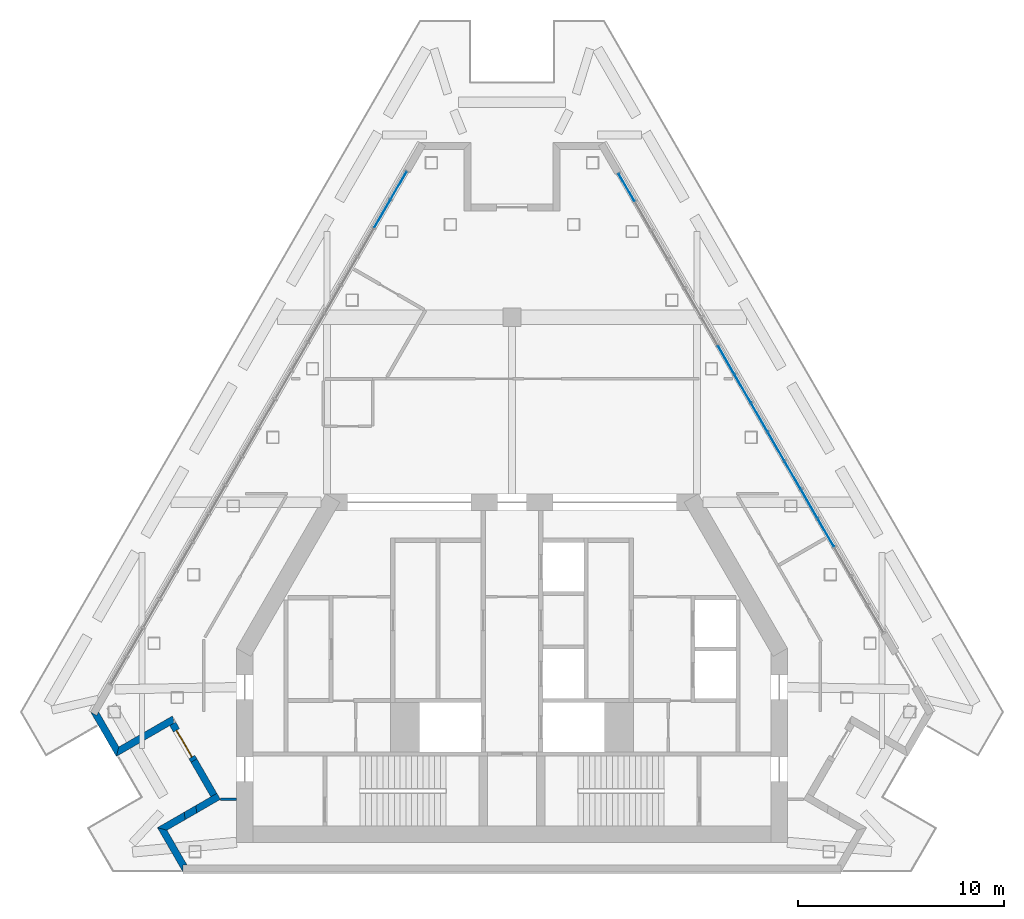
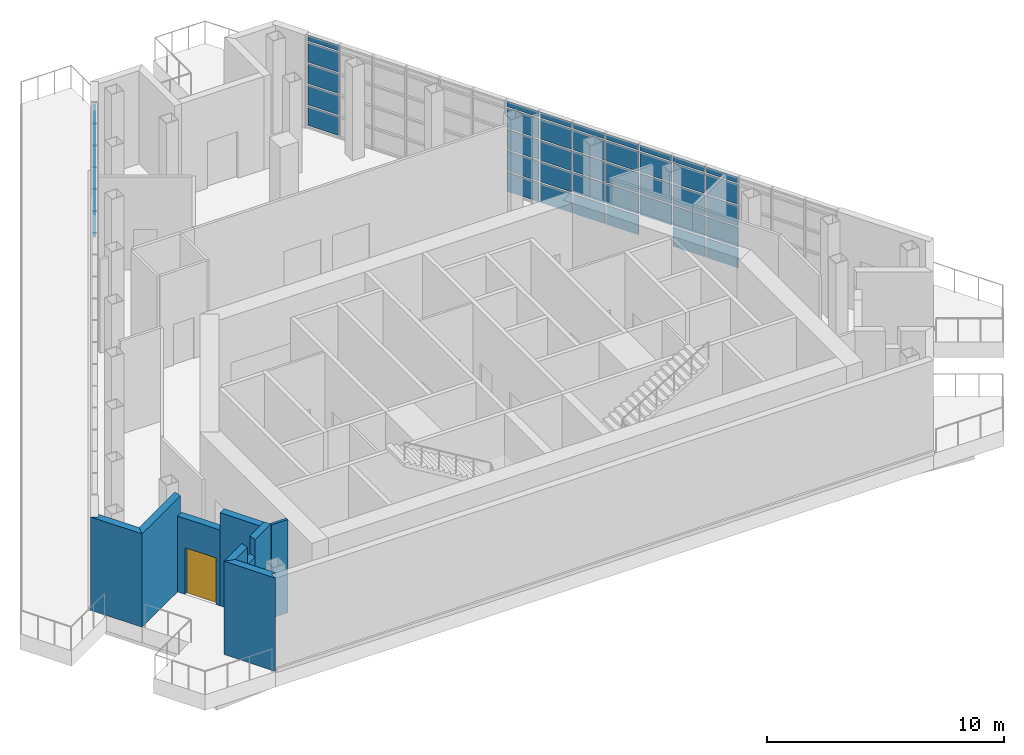
# One storey, part 9 of 15: 49 plates, 9 walls, 1 door, 1 opening, 2 elements without a shape of their own.
"""IFC4 building model written with IfcOpenShell, lengths in metres."""

from ifc_helpers import new_model, si_unit, direction, frame, frame_2d, origin, origin_2d, place, context, subcontext, project, spatial, polyline, rectangle, outline, extrude, material, layer, layer_set, type_object, element, fill, aggregate, save


model = new_model("IFC4")

# Units and contexts
model_context = context("Model", 3, precision=1e-05, world=origin(), true_north=direction((0.0, 1.0)))
body_context = subcontext(model_context, "Body", "Model", "MODEL_VIEW")
ifc_project = project(units=[si_unit("LENGTHUNIT", "METRE"), si_unit("AREAUNIT", "SQUARE_METRE"), si_unit("VOLUMEUNIT", "CUBIC_METRE"), si_unit("PLANEANGLEUNIT", "RADIAN"), si_unit("MASSUNIT", "GRAM", prefix="KILO")], contexts=[model_context])

# Site, building, storey
site_placement = place(None, origin())
site = spatial("IfcSite", under=ifc_project, at=site_placement, CompositionType="ELEMENT")
building_placement = place(site_placement, origin())
building = spatial("IfcBuilding", under=site, at=building_placement, Name="Fogline Exchange Tower", CompositionType="ELEMENT")
storey_placement = place(building_placement, frame((0.0, 0.0, 344.699951171875)))
storey = spatial("IfcBuildingStorey", under=building, at=storey_placement, Name="L78", CompositionType="ELEMENT", Elevation=344.699951171875)

# Curtain wall, plates
ifc_material_1 = material(Name="Aluminium and glass", Category="aluminium")
curtain_wall_type = type_object("IfcCurtainWallType", Name="CW5", PredefinedType="NOTDEFINED", material=ifc_material_1)
curtain_wall_1_placement = place(storey_placement, origin())
curtain_wall_1 = element("IfcCurtainWall", 1, at=curtain_wall_1_placement, inside=storey, type_object=curtain_wall_type, Name="CW5 L78 E run 1", PredefinedType="NOTDEFINED")
ifc_material_2 = material(Name="Glass", Category="glass")
ifc_layer_1 = layer(ifc_material_2, 0.033935546875)
ifc_layer_set_1 = layer_set([ifc_layer_1], Name="CW5-P")
plate_type = type_object("IfcPlateType", Name="CW5-P", PredefinedType="CURTAIN_PANEL", material=ifc_layer_set_1)
plate_1_placement = place(storey_placement, frame((15.271728515625, 16.510009765625, 0.080078125), z_axis=(0.0, 0.0, 1.0), x_axis=(-0.499999959462, 0.866025427189, 0.0)))
plate_1 = element("IfcPlate", 2, at=plate_1_placement, type_object=plate_type, Name="CW5-T26-01 panel 4.1", PredefinedType="CURTAIN_PANEL", context=body_context, shape_type="SweptSolid", body=[
    extrude(rectangle(XDim=1.552734375, YDim=0.033935546875, at=origin_2d()), origin(), (0.0, 0.0, 1.0), 0.97998046875),
])
plate_2_placement = place(storey_placement, frame((15.271728515625, 16.510009765625, 1.14013671875), z_axis=(0.0, 0.0, 1.0), x_axis=(-0.499999959462, 0.866025427189, 0.0)))
plate_2 = element("IfcPlate", 3, at=plate_2_placement, type_object=plate_type, Name="CW5-T26-01 panel 4.2", PredefinedType="CURTAIN_PANEL", context=body_context, shape_type="SweptSolid", body=[
    extrude(rectangle(XDim=1.552734375, YDim=0.033935546875, at=origin_2d()), origin(), (0.0, 0.0, 1.0), 1.02001953125),
])
plate_3_placement = place(storey_placement, frame((15.271728515625, 16.510009765625, 2.239990234375), z_axis=(0.0, 0.0, 1.0), x_axis=(-0.499999959462, 0.866025427189, 0.0)))
plate_3 = element("IfcPlate", 4, at=plate_3_placement, type_object=plate_type, Name="CW5-T26-01 panel 4.3", PredefinedType="CURTAIN_PANEL", context=body_context, shape_type="SweptSolid", body=[
    extrude(rectangle(XDim=1.552734375, YDim=0.033935546875, at=origin_2d()), origin(), (0.0, 0.0, 1.0), 1.02001953125),
])
plate_4_placement = place(storey_placement, frame((15.271728515625, 16.510009765625, 3.340087890625), z_axis=(0.0, 0.0, 1.0), x_axis=(-0.499999959462, 0.866025427189, 0.0)))
plate_4 = element("IfcPlate", 5, at=plate_4_placement, type_object=plate_type, Name="CW5-T26-01 panel 4.4", PredefinedType="CURTAIN_PANEL", context=body_context, shape_type="SweptSolid", body=[
    extrude(rectangle(XDim=1.552734375, YDim=0.033935546875, at=origin_2d()), origin(), (0.0, 0.0, 1.0), 1.02001953125),
])
plate_5_placement = place(storey_placement, frame((15.271728515625, 16.510009765625, 4.43994140625), z_axis=(0.0, 0.0, 1.0), x_axis=(-0.499999959462, 0.866025427189, 0.0)))
plate_5 = element("IfcPlate", 6, at=plate_5_placement, type_object=plate_type, Name="CW5-T26-01 panel 4.5", PredefinedType="CURTAIN_PANEL", context=body_context, shape_type="SweptSolid", body=[
    extrude(rectangle(XDim=1.552734375, YDim=0.033935546875, at=origin_2d()), origin(), (0.0, 0.0, 1.0), 0.280029296875),
])
plate_6_placement = place(storey_placement, frame((14.462646484375, 17.9111328125, 0.080078125), z_axis=(0.0, 0.0, 1.0), x_axis=(-0.499999959462, 0.866025427189, 0.0)))
plate_6 = element("IfcPlate", 7, at=plate_6_placement, type_object=plate_type, Name="CW5-T26-01 panel 5.1", PredefinedType="CURTAIN_PANEL", context=body_context, shape_type="SweptSolid", body=[
    extrude(rectangle(XDim=1.552734375, YDim=0.033935546875, at=origin_2d()), origin(), (0.0, 0.0, 1.0), 0.97998046875),
])
plate_7_placement = place(storey_placement, frame((14.462646484375, 17.9111328125, 1.14013671875), z_axis=(0.0, 0.0, 1.0), x_axis=(-0.499999959462, 0.866025427189, 0.0)))
plate_7 = element("IfcPlate", 8, at=plate_7_placement, type_object=plate_type, Name="CW5-T26-01 panel 5.2", PredefinedType="CURTAIN_PANEL", context=body_context, shape_type="SweptSolid", body=[
    extrude(rectangle(XDim=1.552734375, YDim=0.033935546875, at=origin_2d()), origin(), (0.0, 0.0, 1.0), 1.02001953125),
])
plate_8_placement = place(storey_placement, frame((14.462646484375, 17.9111328125, 2.239990234375), z_axis=(0.0, 0.0, 1.0), x_axis=(-0.499999959462, 0.866025427189, 0.0)))
plate_8 = element("IfcPlate", 9, at=plate_8_placement, type_object=plate_type, Name="CW5-T26-01 panel 5.3", PredefinedType="CURTAIN_PANEL", context=body_context, shape_type="SweptSolid", body=[
    extrude(rectangle(XDim=1.552734375, YDim=0.033935546875, at=origin_2d()), origin(), (0.0, 0.0, 1.0), 1.02001953125),
])
plate_9_placement = place(storey_placement, frame((14.462646484375, 17.9111328125, 3.340087890625), z_axis=(0.0, 0.0, 1.0), x_axis=(-0.499999959462, 0.866025427189, 0.0)))
plate_9 = element("IfcPlate", 10, at=plate_9_placement, type_object=plate_type, Name="CW5-T26-01 panel 5.4", PredefinedType="CURTAIN_PANEL", context=body_context, shape_type="SweptSolid", body=[
    extrude(rectangle(XDim=1.552734375, YDim=0.033935546875, at=origin_2d()), origin(), (0.0, 0.0, 1.0), 1.02001953125),
])
plate_10_placement = place(storey_placement, frame((14.462646484375, 17.9111328125, 4.43994140625), z_axis=(0.0, 0.0, 1.0), x_axis=(-0.499999959462, 0.866025427189, 0.0)))
plate_10 = element("IfcPlate", 11, at=plate_10_placement, type_object=plate_type, Name="CW5-T26-01 panel 5.5", PredefinedType="CURTAIN_PANEL", context=body_context, shape_type="SweptSolid", body=[
    extrude(rectangle(XDim=1.552734375, YDim=0.033935546875, at=origin_2d()), origin(), (0.0, 0.0, 1.0), 0.280029296875),
])
plate_11_placement = place(storey_placement, frame((13.65380859375, 19.312255859375, 1.14013671875), z_axis=(0.0, 0.0, 1.0), x_axis=(-0.499999959462, 0.866025427189, 0.0)))
plate_11 = element("IfcPlate", 12, at=plate_11_placement, type_object=plate_type, Name="CW5-T26-01 panel 6.2", PredefinedType="CURTAIN_PANEL", context=body_context, shape_type="SweptSolid", body=[
    extrude(rectangle(XDim=1.552734375, YDim=0.033935546875, at=origin_2d()), origin(), (0.0, 0.0, 1.0), 1.02001953125),
])
plate_12_placement = place(storey_placement, frame((13.65380859375, 19.312255859375, 2.239990234375), z_axis=(0.0, 0.0, 1.0), x_axis=(-0.499999959462, 0.866025427189, 0.0)))
plate_12 = element("IfcPlate", 13, at=plate_12_placement, type_object=plate_type, Name="CW5-T26-01 panel 6.3", PredefinedType="CURTAIN_PANEL", context=body_context, shape_type="SweptSolid", body=[
    extrude(rectangle(XDim=1.552734375, YDim=0.033935546875, at=origin_2d()), origin(), (0.0, 0.0, 1.0), 1.02001953125),
])
plate_13_placement = place(storey_placement, frame((13.65380859375, 19.312255859375, 3.340087890625), z_axis=(0.0, 0.0, 1.0), x_axis=(-0.499999959462, 0.866025427189, 0.0)))
plate_13 = element("IfcPlate", 14, at=plate_13_placement, type_object=plate_type, Name="CW5-T26-01 panel 6.4", PredefinedType="CURTAIN_PANEL", context=body_context, shape_type="SweptSolid", body=[
    extrude(rectangle(XDim=1.552734375, YDim=0.033935546875, at=origin_2d()), origin(), (0.0, 0.0, 1.0), 1.02001953125),
])
plate_14_placement = place(storey_placement, frame((13.65380859375, 19.312255859375, 4.43994140625), z_axis=(0.0, 0.0, 1.0), x_axis=(-0.499999959462, 0.866025427189, 0.0)))
plate_14 = element("IfcPlate", 15, at=plate_14_placement, type_object=plate_type, Name="CW5-T26-01 panel 6.5", PredefinedType="CURTAIN_PANEL", context=body_context, shape_type="SweptSolid", body=[
    extrude(rectangle(XDim=1.552734375, YDim=0.033935546875, at=origin_2d()), origin(), (0.0, 0.0, 1.0), 0.280029296875),
])
plate_15_placement = place(storey_placement, frame((12.844970703125, 20.71337890625, 0.080078125), z_axis=(0.0, 0.0, 1.0), x_axis=(-0.499999959462, 0.866025427189, 0.0)))
plate_15 = element("IfcPlate", 16, at=plate_15_placement, type_object=plate_type, Name="CW5-T26-01 panel 7.1", PredefinedType="CURTAIN_PANEL", context=body_context, shape_type="SweptSolid", body=[
    extrude(rectangle(XDim=1.552734375, YDim=0.033935546875, at=origin_2d()), origin(), (0.0, 0.0, 1.0), 0.97998046875),
])
plate_16_placement = place(storey_placement, frame((12.844970703125, 20.71337890625, 1.14013671875), z_axis=(0.0, 0.0, 1.0), x_axis=(-0.499999959462, 0.866025427189, 0.0)))
plate_16 = element("IfcPlate", 17, at=plate_16_placement, type_object=plate_type, Name="CW5-T26-01 panel 7.2", PredefinedType="CURTAIN_PANEL", context=body_context, shape_type="SweptSolid", body=[
    extrude(rectangle(XDim=1.552734375, YDim=0.033935546875, at=origin_2d()), origin(), (0.0, 0.0, 1.0), 1.02001953125),
])
plate_17_placement = place(storey_placement, frame((12.844970703125, 20.71337890625, 2.239990234375), z_axis=(0.0, 0.0, 1.0), x_axis=(-0.499999959462, 0.866025427189, 0.0)))
plate_17 = element("IfcPlate", 18, at=plate_17_placement, type_object=plate_type, Name="CW5-T26-01 panel 7.3", PredefinedType="CURTAIN_PANEL", context=body_context, shape_type="SweptSolid", body=[
    extrude(rectangle(XDim=1.552734375, YDim=0.033935546875, at=origin_2d()), origin(), (0.0, 0.0, 1.0), 1.02001953125),
])
plate_18_placement = place(storey_placement, frame((12.844970703125, 20.71337890625, 3.340087890625), z_axis=(0.0, 0.0, 1.0), x_axis=(-0.499999959462, 0.866025427189, 0.0)))
plate_18 = element("IfcPlate", 19, at=plate_18_placement, type_object=plate_type, Name="CW5-T26-01 panel 7.4", PredefinedType="CURTAIN_PANEL", context=body_context, shape_type="SweptSolid", body=[
    extrude(rectangle(XDim=1.552734375, YDim=0.033935546875, at=origin_2d()), origin(), (0.0, 0.0, 1.0), 1.02001953125),
])
plate_19_placement = place(storey_placement, frame((12.844970703125, 20.71337890625, 4.43994140625), z_axis=(0.0, 0.0, 1.0), x_axis=(-0.499999959462, 0.866025427189, 0.0)))
plate_19 = element("IfcPlate", 20, at=plate_19_placement, type_object=plate_type, Name="CW5-T26-01 panel 7.5", PredefinedType="CURTAIN_PANEL", context=body_context, shape_type="SweptSolid", body=[
    extrude(rectangle(XDim=1.552734375, YDim=0.033935546875, at=origin_2d()), origin(), (0.0, 0.0, 1.0), 0.280029296875),
])
plate_20_placement = place(storey_placement, frame((12.035888671875, 22.1142578125, 0.080078125), z_axis=(0.0, 0.0, 1.0), x_axis=(-0.499999959462, 0.866025427189, 0.0)))
plate_20 = element("IfcPlate", 21, at=plate_20_placement, type_object=plate_type, Name="CW5-T26-01 panel 8.1", PredefinedType="CURTAIN_PANEL", context=body_context, shape_type="SweptSolid", body=[
    extrude(rectangle(XDim=1.552734375, YDim=0.033935546875, at=origin_2d()), origin(), (0.0, 0.0, 1.0), 0.97998046875),
])
plate_21_placement = place(storey_placement, frame((12.035888671875, 22.1142578125, 1.14013671875), z_axis=(0.0, 0.0, 1.0), x_axis=(-0.499999959462, 0.866025427189, 0.0)))
plate_21 = element("IfcPlate", 22, at=plate_21_placement, type_object=plate_type, Name="CW5-T26-01 panel 8.2", PredefinedType="CURTAIN_PANEL", context=body_context, shape_type="SweptSolid", body=[
    extrude(rectangle(XDim=1.552734375, YDim=0.033935546875, at=origin_2d()), origin(), (0.0, 0.0, 1.0), 1.02001953125),
])
plate_22_placement = place(storey_placement, frame((12.035888671875, 22.1142578125, 2.239990234375), z_axis=(0.0, 0.0, 1.0), x_axis=(-0.499999959462, 0.866025427189, 0.0)))
plate_22 = element("IfcPlate", 23, at=plate_22_placement, type_object=plate_type, Name="CW5-T26-01 panel 8.3", PredefinedType="CURTAIN_PANEL", context=body_context, shape_type="SweptSolid", body=[
    extrude(rectangle(XDim=1.552734375, YDim=0.033935546875, at=origin_2d()), origin(), (0.0, 0.0, 1.0), 1.02001953125),
])
plate_23_placement = place(storey_placement, frame((12.035888671875, 22.1142578125, 3.340087890625), z_axis=(0.0, 0.0, 1.0), x_axis=(-0.499999959462, 0.866025427189, 0.0)))
plate_23 = element("IfcPlate", 24, at=plate_23_placement, type_object=plate_type, Name="CW5-T26-01 panel 8.4", PredefinedType="CURTAIN_PANEL", context=body_context, shape_type="SweptSolid", body=[
    extrude(rectangle(XDim=1.552734375, YDim=0.033935546875, at=origin_2d()), origin(), (0.0, 0.0, 1.0), 1.02001953125),
])
plate_24_placement = place(storey_placement, frame((12.035888671875, 22.1142578125, 4.43994140625), z_axis=(0.0, 0.0, 1.0), x_axis=(-0.499999959462, 0.866025427189, 0.0)))
plate_24 = element("IfcPlate", 25, at=plate_24_placement, type_object=plate_type, Name="CW5-T26-01 panel 8.5", PredefinedType="CURTAIN_PANEL", context=body_context, shape_type="SweptSolid", body=[
    extrude(rectangle(XDim=1.552734375, YDim=0.033935546875, at=origin_2d()), origin(), (0.0, 0.0, 1.0), 0.280029296875),
])
plate_25_placement = place(storey_placement, frame((11.22705078125, 23.515380859375, 0.080078125), z_axis=(0.0, 0.0, 1.0), x_axis=(-0.499999959462, 0.866025427189, 0.0)))
plate_25 = element("IfcPlate", 26, at=plate_25_placement, type_object=plate_type, Name="CW5-T26-01 panel 9.1", PredefinedType="CURTAIN_PANEL", context=body_context, shape_type="SweptSolid", body=[
    extrude(rectangle(XDim=1.552734375, YDim=0.033935546875, at=origin_2d()), origin(), (0.0, 0.0, 1.0), 0.97998046875),
])
plate_26_placement = place(storey_placement, frame((11.22705078125, 23.515380859375, 1.14013671875), z_axis=(0.0, 0.0, 1.0), x_axis=(-0.499999959462, 0.866025427189, 0.0)))
plate_26 = element("IfcPlate", 27, at=plate_26_placement, type_object=plate_type, Name="CW5-T26-01 panel 9.2", PredefinedType="CURTAIN_PANEL", context=body_context, shape_type="SweptSolid", body=[
    extrude(rectangle(XDim=1.552734375, YDim=0.033935546875, at=origin_2d()), origin(), (0.0, 0.0, 1.0), 1.02001953125),
])
plate_27_placement = place(storey_placement, frame((11.22705078125, 23.515380859375, 2.239990234375), z_axis=(0.0, 0.0, 1.0), x_axis=(-0.499999959462, 0.866025427189, 0.0)))
plate_27 = element("IfcPlate", 28, at=plate_27_placement, type_object=plate_type, Name="CW5-T26-01 panel 9.3", PredefinedType="CURTAIN_PANEL", context=body_context, shape_type="SweptSolid", body=[
    extrude(rectangle(XDim=1.552734375, YDim=0.033935546875, at=origin_2d()), origin(), (0.0, 0.0, 1.0), 1.02001953125),
])
plate_28_placement = place(storey_placement, frame((11.22705078125, 23.515380859375, 3.340087890625), z_axis=(0.0, 0.0, 1.0), x_axis=(-0.499999959462, 0.866025427189, 0.0)))
plate_28 = element("IfcPlate", 29, at=plate_28_placement, type_object=plate_type, Name="CW5-T26-01 panel 9.4", PredefinedType="CURTAIN_PANEL", context=body_context, shape_type="SweptSolid", body=[
    extrude(rectangle(XDim=1.552734375, YDim=0.033935546875, at=origin_2d()), origin(), (0.0, 0.0, 1.0), 1.02001953125),
])
plate_29_placement = place(storey_placement, frame((11.22705078125, 23.515380859375, 4.43994140625), z_axis=(0.0, 0.0, 1.0), x_axis=(-0.499999959462, 0.866025427189, 0.0)))
plate_29 = element("IfcPlate", 30, at=plate_29_placement, type_object=plate_type, Name="CW5-T26-01 panel 9.5", PredefinedType="CURTAIN_PANEL", context=body_context, shape_type="SweptSolid", body=[
    extrude(rectangle(XDim=1.552734375, YDim=0.033935546875, at=origin_2d()), origin(), (0.0, 0.0, 1.0), 0.280029296875),
])
plate_30_placement = place(storey_placement, frame((10.418212890625, 24.91650390625, 0.080078125), z_axis=(0.0, 0.0, 1.0), x_axis=(-0.499999959462, 0.866025427189, 0.0)))
plate_30 = element("IfcPlate", 31, at=plate_30_placement, type_object=plate_type, Name="CW5-T26-01 panel 10.1", PredefinedType="CURTAIN_PANEL", context=body_context, shape_type="SweptSolid", body=[
    extrude(rectangle(XDim=1.552734375, YDim=0.033935546875, at=origin_2d()), origin(), (0.0, 0.0, 1.0), 0.97998046875),
])
plate_31_placement = place(storey_placement, frame((10.418212890625, 24.91650390625, 1.14013671875), z_axis=(0.0, 0.0, 1.0), x_axis=(-0.499999959462, 0.866025427189, 0.0)))
plate_31 = element("IfcPlate", 32, at=plate_31_placement, type_object=plate_type, Name="CW5-T26-01 panel 10.2", PredefinedType="CURTAIN_PANEL", context=body_context, shape_type="SweptSolid", body=[
    extrude(rectangle(XDim=1.552734375, YDim=0.033935546875, at=origin_2d()), origin(), (0.0, 0.0, 1.0), 1.02001953125),
])
plate_32_placement = place(storey_placement, frame((10.418212890625, 24.91650390625, 2.239990234375), z_axis=(0.0, 0.0, 1.0), x_axis=(-0.499999959462, 0.866025427189, 0.0)))
plate_32 = element("IfcPlate", 33, at=plate_32_placement, type_object=plate_type, Name="CW5-T26-01 panel 10.3", PredefinedType="CURTAIN_PANEL", context=body_context, shape_type="SweptSolid", body=[
    extrude(rectangle(XDim=1.552734375, YDim=0.033935546875, at=origin_2d()), origin(), (0.0, 0.0, 1.0), 1.02001953125),
])
plate_33_placement = place(storey_placement, frame((10.418212890625, 24.91650390625, 3.340087890625), z_axis=(0.0, 0.0, 1.0), x_axis=(-0.499999959462, 0.866025427189, 0.0)))
plate_33 = element("IfcPlate", 34, at=plate_33_placement, type_object=plate_type, Name="CW5-T26-01 panel 10.4", PredefinedType="CURTAIN_PANEL", context=body_context, shape_type="SweptSolid", body=[
    extrude(rectangle(XDim=1.552734375, YDim=0.033935546875, at=origin_2d()), origin(), (0.0, 0.0, 1.0), 1.02001953125),
])
plate_34_placement = place(storey_placement, frame((10.418212890625, 24.91650390625, 4.43994140625), z_axis=(0.0, 0.0, 1.0), x_axis=(-0.499999959462, 0.866025427189, 0.0)))
plate_34 = element("IfcPlate", 35, at=plate_34_placement, type_object=plate_type, Name="CW5-T26-01 panel 10.5", PredefinedType="CURTAIN_PANEL", context=body_context, shape_type="SweptSolid", body=[
    extrude(rectangle(XDim=1.552734375, YDim=0.033935546875, at=origin_2d()), origin(), (0.0, 0.0, 1.0), 0.280029296875),
])
plate_35_placement = place(storey_placement, frame((5.57275390625, 33.308837890625, 0.080078125), z_axis=(0.0, 0.0, 1.0), x_axis=(-0.499999959462, 0.866025427189, 0.0)))
plate_35 = element("IfcPlate", 36, at=plate_35_placement, type_object=plate_type, Name="CW5-T26-01 panel 16.1", PredefinedType="CURTAIN_PANEL", context=body_context, shape_type="SweptSolid", body=[
    extrude(rectangle(XDim=1.520263671875, YDim=0.033935546875, at=origin_2d()), origin(), (0.0, 0.0, 1.0), 0.97998046875),
])
plate_36_placement = place(storey_placement, frame((5.57275390625, 33.308837890625, 1.14013671875), z_axis=(0.0, 0.0, 1.0), x_axis=(-0.499999959462, 0.866025427189, 0.0)))
plate_36 = element("IfcPlate", 37, at=plate_36_placement, type_object=plate_type, Name="CW5-T26-01 panel 16.2", PredefinedType="CURTAIN_PANEL", context=body_context, shape_type="SweptSolid", body=[
    extrude(rectangle(XDim=1.520263671875, YDim=0.033935546875, at=origin_2d()), origin(), (0.0, 0.0, 1.0), 1.02001953125),
])
plate_37_placement = place(storey_placement, frame((5.57275390625, 33.308837890625, 2.239990234375), z_axis=(0.0, 0.0, 1.0), x_axis=(-0.499999959462, 0.866025427189, 0.0)))
plate_37 = element("IfcPlate", 38, at=plate_37_placement, type_object=plate_type, Name="CW5-T26-01 panel 16.3", PredefinedType="CURTAIN_PANEL", context=body_context, shape_type="SweptSolid", body=[
    extrude(rectangle(XDim=1.520263671875, YDim=0.033935546875, at=origin_2d()), origin(), (0.0, 0.0, 1.0), 1.02001953125),
])
plate_38_placement = place(storey_placement, frame((5.57275390625, 33.308837890625, 3.340087890625), z_axis=(0.0, 0.0, 1.0), x_axis=(-0.499999959462, 0.866025427189, 0.0)))
plate_38 = element("IfcPlate", 39, at=plate_38_placement, type_object=plate_type, Name="CW5-T26-01 panel 16.4", PredefinedType="CURTAIN_PANEL", context=body_context, shape_type="SweptSolid", body=[
    extrude(rectangle(XDim=1.520263671875, YDim=0.033935546875, at=origin_2d()), origin(), (0.0, 0.0, 1.0), 1.02001953125),
])
plate_39_placement = place(storey_placement, frame((5.57275390625, 33.308837890625, 4.43994140625), z_axis=(0.0, 0.0, 1.0), x_axis=(-0.499999959462, 0.866025427189, 0.0)))
plate_39 = element("IfcPlate", 40, at=plate_39_placement, type_object=plate_type, Name="CW5-T26-01 panel 16.5", PredefinedType="CURTAIN_PANEL", context=body_context, shape_type="SweptSolid", body=[
    extrude(rectangle(XDim=1.520263671875, YDim=0.033935546875, at=origin_2d()), origin(), (0.0, 0.0, 1.0), 0.280029296875),
])
aggregate(curtain_wall_1, [plate_1, plate_2, plate_3, plate_4, plate_5, plate_6, plate_7, plate_8, plate_9, plate_10, plate_11, plate_12, plate_13, plate_14, plate_15, plate_16, plate_17, plate_18, plate_19, plate_20, plate_21, plate_22, plate_23, plate_24, plate_25, plate_26, plate_27, plate_28, plate_29, plate_30, plate_31, plate_32, plate_33, plate_34, plate_35, plate_36, plate_37, plate_38, plate_39])

curtain_wall_2_placement = place(storey_placement, origin())
curtain_wall_2 = element("IfcCurtainWall", 41, at=curtain_wall_2_placement, inside=storey, type_object=curtain_wall_type, Name="CW5 L78 W run 1", PredefinedType="NOTDEFINED")
plate_40_placement = place(storey_placement, frame((-5.51220703125, 33.4140625, 0.080078125), z_axis=(0.0, 0.0, 1.0), x_axis=(-0.500000056787, -0.866025370998, 0.0)))
plate_40 = element("IfcPlate", 42, at=plate_40_placement, type_object=plate_type, Name="CW5-T26-02 panel 1.1", PredefinedType="CURTAIN_PANEL", context=body_context, shape_type="SweptSolid", body=[
    extrude(rectangle(XDim=1.50732421875, YDim=0.033935546875, at=origin_2d()), origin(), (0.0, 0.0, 1.0), 0.97998046875),
])
plate_41_placement = place(storey_placement, frame((-5.51220703125, 33.4140625, 1.14013671875), z_axis=(0.0, 0.0, 1.0), x_axis=(-0.500000056787, -0.866025370998, 0.0)))
plate_41 = element("IfcPlate", 43, at=plate_41_placement, type_object=plate_type, Name="CW5-T26-02 panel 1.2", PredefinedType="CURTAIN_PANEL", context=body_context, shape_type="SweptSolid", body=[
    extrude(rectangle(XDim=1.50732421875, YDim=0.033935546875, at=origin_2d()), origin(), (0.0, 0.0, 1.0), 1.02001953125),
])
plate_42_placement = place(storey_placement, frame((-5.51220703125, 33.4140625, 2.239990234375), z_axis=(0.0, 0.0, 1.0), x_axis=(-0.500000056787, -0.866025370998, 0.0)))
plate_42 = element("IfcPlate", 44, at=plate_42_placement, type_object=plate_type, Name="CW5-T26-02 panel 1.3", PredefinedType="CURTAIN_PANEL", context=body_context, shape_type="SweptSolid", body=[
    extrude(rectangle(XDim=1.50732421875, YDim=0.033935546875, at=origin_2d()), origin(), (0.0, 0.0, 1.0), 1.02001953125),
])
plate_43_placement = place(storey_placement, frame((-5.51220703125, 33.4140625, 3.340087890625), z_axis=(0.0, 0.0, 1.0), x_axis=(-0.500000056787, -0.866025370998, 0.0)))
plate_43 = element("IfcPlate", 45, at=plate_43_placement, type_object=plate_type, Name="CW5-T26-02 panel 1.4", PredefinedType="CURTAIN_PANEL", context=body_context, shape_type="SweptSolid", body=[
    extrude(rectangle(XDim=1.50732421875, YDim=0.033935546875, at=origin_2d()), origin(), (0.0, 0.0, 1.0), 1.02001953125),
])
plate_44_placement = place(storey_placement, frame((-5.51220703125, 33.4140625, 4.43994140625), z_axis=(0.0, 0.0, 1.0), x_axis=(-0.500000056787, -0.866025370998, 0.0)))
plate_44 = element("IfcPlate", 46, at=plate_44_placement, type_object=plate_type, Name="CW5-T26-02 panel 1.5", PredefinedType="CURTAIN_PANEL", context=body_context, shape_type="SweptSolid", body=[
    extrude(rectangle(XDim=1.50732421875, YDim=0.033935546875, at=origin_2d()), origin(), (0.0, 0.0, 1.0), 0.280029296875),
])
plate_45_placement = place(storey_placement, frame((-6.306396484375, 32.038330078125, 0.080078125), z_axis=(0.0, 0.0, 1.0), x_axis=(-0.500000056787, -0.866025370998, 0.0)))
plate_45 = element("IfcPlate", 47, at=plate_45_placement, type_object=plate_type, Name="CW5-T26-02 panel 2.1", PredefinedType="CURTAIN_PANEL", context=body_context, shape_type="SweptSolid", body=[
    extrude(rectangle(XDim=1.539794921875, YDim=0.033935546875, at=origin_2d()), origin(), (0.0, 0.0, 1.0), 0.97998046875),
])
plate_46_placement = place(storey_placement, frame((-6.306396484375, 32.038330078125, 1.14013671875), z_axis=(0.0, 0.0, 1.0), x_axis=(-0.500000056787, -0.866025370998, 0.0)))
plate_46 = element("IfcPlate", 48, at=plate_46_placement, type_object=plate_type, Name="CW5-T26-02 panel 2.2", PredefinedType="CURTAIN_PANEL", context=body_context, shape_type="SweptSolid", body=[
    extrude(rectangle(XDim=1.539794921875, YDim=0.033935546875, at=origin_2d()), origin(), (0.0, 0.0, 1.0), 1.02001953125),
])
plate_47_placement = place(storey_placement, frame((-6.306396484375, 32.038330078125, 2.239990234375), z_axis=(0.0, 0.0, 1.0), x_axis=(-0.500000056787, -0.866025370998, 0.0)))
plate_47 = element("IfcPlate", 49, at=plate_47_placement, type_object=plate_type, Name="CW5-T26-02 panel 2.3", PredefinedType="CURTAIN_PANEL", context=body_context, shape_type="SweptSolid", body=[
    extrude(rectangle(XDim=1.539794921875, YDim=0.033935546875, at=origin_2d()), origin(), (0.0, 0.0, 1.0), 1.02001953125),
])
plate_48_placement = place(storey_placement, frame((-6.306396484375, 32.038330078125, 3.340087890625), z_axis=(0.0, 0.0, 1.0), x_axis=(-0.500000056787, -0.866025370998, 0.0)))
plate_48 = element("IfcPlate", 50, at=plate_48_placement, type_object=plate_type, Name="CW5-T26-02 panel 2.4", PredefinedType="CURTAIN_PANEL", context=body_context, shape_type="SweptSolid", body=[
    extrude(rectangle(XDim=1.539794921875, YDim=0.033935546875, at=origin_2d()), origin(), (0.0, 0.0, 1.0), 1.02001953125),
])
plate_49_placement = place(storey_placement, frame((-6.306396484375, 32.038330078125, 4.43994140625), z_axis=(0.0, 0.0, 1.0), x_axis=(-0.500000056787, -0.866025370998, 0.0)))
plate_49 = element("IfcPlate", 51, at=plate_49_placement, type_object=plate_type, Name="CW5-T26-02 panel 2.5", PredefinedType="CURTAIN_PANEL", context=body_context, shape_type="SweptSolid", body=[
    extrude(rectangle(XDim=1.539794921875, YDim=0.033935546875, at=origin_2d()), origin(), (0.0, 0.0, 1.0), 0.280029296875),
])
aggregate(curtain_wall_2, [plate_40, plate_41, plate_42, plate_43, plate_44, plate_45, plate_46, plate_47, plate_48, plate_49])

# Walls
ifc_material_3 = material(Name="Brick masonry", Category="masonry")
ifc_layer_2 = layer(ifc_material_3, 0.340087890625)
ifc_layer_set_2 = layer_set([ifc_layer_2], Name="FW1")
wall_type_1 = type_object("IfcWallType", Name="FW1", PredefinedType="SOLIDWALL", material=ifc_layer_set_2)
wall_1_placement = place(storey_placement, origin())
element("IfcWall", 52, at=wall_1_placement, inside=storey, type_object=wall_type_1, Name="Brick wall L78 SW-c1", PredefinedType="SOLIDWALL", context=body_context, shape_type="SweptSolid", body=[
    extrude(outline(polyline([(-19.25, 5.6279296875), (-20.5009765625, 7.794921875), (-20.500732421875, 7.79541015625), (-20.205810546875, 7.625), (-20.107421875, 7.79541015625), (-19.125, 6.09375), (-19.249755859375, 5.6279296875), (-19.25, 5.6279296875)])), origin(), (0.0, 0.0, 1.0), 4.800048828125),
])
wall_2_placement = place(storey_placement, origin())
element("IfcWall", 53, at=wall_2_placement, inside=storey, type_object=wall_type_1, Name="Brick wall L78 SW-s1", PredefinedType="SOLIDWALL", context=body_context, shape_type="SweptSolid", body=[
    extrude(outline(polyline([(-16.473388671875, 7.5009765625), (-16.4443359375, 7.248291015625), (-16.651611328125, 7.128662109375), (-19.25048828125, 5.628173828125), (-19.250732421875, 5.62841796875), (-19.1259765625, 6.093994140625), (-16.52734375, 7.594482421875), (-16.473388671875, 7.5009765625)])), origin(), (0.0, 0.0, 1.0), 4.800048828125),
])

# Wall, opening, door
wall_3_placement = place(storey_placement, frame((-16.504638671875, 7.214111328125, 0.0), z_axis=(0.0, 0.0, 1.0), x_axis=(0.499971832445, -0.866041665719, 0.0)))
wall_3 = element("IfcWall", 54, at=wall_3_placement, inside=storey, type_object=wall_type_1, Name="Brick wall L78 SW-bk", PredefinedType="SOLIDWALL", context=body_context, shape_type="SweptSolid", body=[
    extrude(rectangle(XDim=2.06201171875, YDim=0.340087890625, at=frame_2d((1.031005859375, 0.0))), origin(), (0.0, 0.0, 1.0), 3.900146484375),
])
opening_placement = place(wall_3_placement, frame((0.362060546875, 0.0, 0.0)))
opening = element("IfcOpeningElement", 55, at=opening_placement, cuts=wall_3, Name="Opening T26-E021", PredefinedType="OPENING", context=body_context, shape_type="SweptSolid", body=[
    extrude(rectangle(XDim=1.5, YDim=2.39990234375, at=frame_2d((0.75, 1.199951171875))), frame((0.0, 0.18017578125, 0.0), z_axis=(0.0, -1.0, 0.0), x_axis=(1.0, 0.0, 0.0)), (0.0, 0.0, 1.0), 0.360107421875),
])
door_type = type_object("IfcDoorType", Name="ED4", OperationType="SINGLE_SWING_LEFT", PredefinedType="DOOR", material=ifc_material_1)
door_placement = place(opening_placement, frame((1.5, 0.0, 0.0), z_axis=(0.0, 0.0, 1.0), x_axis=(-1.0, 0.0, 0.0)))
door = element("IfcDoor", 56, at=door_placement, inside=storey, type_object=door_type, Name="Balcony door L78 SW", OperationType="DOUBLE_DOOR_SINGLE_SWING", OverallHeight=2.39990234375, OverallWidth=1.5, PredefinedType="DOOR", context=body_context, shape_type="SweptSolid", body=[
    extrude(rectangle(XDim=1.5, YDim=2.39990234375, at=frame_2d((0.75, 1.199951171875))), frame((0.0, 0.02490234375, 0.0), z_axis=(0.0, -1.0, 0.0), x_axis=(1.0, 0.0, 0.0)), (0.0, 0.0, 1.0), 0.050048828125),
])
fill(opening, door)

# Walls
wall_4_placement = place(storey_placement, frame((-15.4736328125, 5.42822265625, 0.0), z_axis=(0.0, 0.0, 1.0), x_axis=(0.500027802648, -0.866009351323, 0.0)))
element("IfcWall", 57, at=wall_4_placement, inside=storey, type_object=wall_type_1, Name="Brick wall L78 SW-bk", PredefinedType="SOLIDWALL", context=body_context, shape_type="SweptSolid", body=[
    extrude(rectangle(XDim=1.93798828125, YDim=0.340087890625, at=frame_2d((0.968994140625, 0.0))), origin(), (0.0, 0.0, 1.0), 4.800048828125),
])
wall_5_placement = place(storey_placement, origin())
element("IfcWall", 58, at=wall_5_placement, inside=storey, type_object=wall_type_1, Name="Brick wall L78 SW-s2", PredefinedType="SOLIDWALL", context=body_context, shape_type="SweptSolid", body=[
    extrude(outline(polyline([(-15.37939453125, 3.245849609375), (-15.336669921875, 2.87646484375), (-15.903076171875, 2.54931640625), (-15.945556640625, 2.9189453125), (-15.37939453125, 3.245849609375)])), origin(), (0.0, 0.0, 1.0), 3.900146484375),
])
wall_6_placement = place(storey_placement, origin())
element("IfcWall", 59, at=wall_6_placement, inside=storey, type_object=wall_type_1, Name="Brick wall L78 SW-s2", PredefinedType="SOLIDWALL", context=body_context, shape_type="SweptSolid", body=[
    extrude(outline(polyline([(-15.945556640625, 2.9189453125), (-15.903076171875, 2.54931640625), (-16.785400390625, 2.0400390625), (-17.251220703125, 2.164794921875), (-17.251220703125, 2.1650390625), (-15.945556640625, 2.9189453125)])), origin(), (0.0, 0.0, 1.0), 4.800048828125),
])
wall_7_placement = place(storey_placement, origin())
element("IfcWall", 60, at=wall_7_placement, inside=storey, type_object=wall_type_1, Name="Brick wall L78 SW-s2", PredefinedType="SOLIDWALL", context=body_context, shape_type="SweptSolid", body=[
    extrude(outline(polyline([(-14.652099609375, 3.66552734375), (-14.357177734375, 3.8359375), (-14.186767578125, 3.540283203125), (-15.336669921875, 2.87646484375), (-15.37939453125, 3.245849609375), (-14.652099609375, 3.66552734375)])), origin(), (0.0, 0.0, 1.0), 4.800048828125),
])
wall_8_placement = place(storey_placement, origin())
element("IfcWall", 61, at=wall_8_placement, inside=storey, type_object=wall_type_1, Name="Brick wall L78 SW-c2", PredefinedType="SOLIDWALL", context=body_context, shape_type="SweptSolid", body=[
    extrude(outline(polyline([(-15.802734375, 0.33935546875), (-15.99951171875, 0.33935546875), (-15.99951171875, -0.0009765625), (-16.0, -0.001220703125), (-17.2509765625, 2.165771484375), (-17.2509765625, 2.166015625), (-16.78515625, 2.041015625), (-15.802734375, 0.33935546875)])), origin(), (0.0, 0.0, 1.0), 4.800048828125),
])
ifc_material_4 = material(Name="Plasterboard corridor partition with mineral wool, 2 layers each side")
ifc_layer_3 = layer(ifc_material_4, 0.125)
ifc_layer_set_3 = layer_set([ifc_layer_3], Name="PW2")
wall_type_2 = type_object("IfcWallType", Name="PW2", PredefinedType="PARTITIONING", material=ifc_layer_set_3)
wall_9_placement = place(storey_placement, frame((-13.39990234375, 3.54052734375, 0.0), z_axis=(0.0, 0.0, 1.0), x_axis=(-1.0, 0.0, 0.0)))
element("IfcWall", 62, at=wall_9_placement, inside=storey, type_object=wall_type_2, Name="wall-L78-W016", PredefinedType="PARTITIONING", context=body_context, shape_type="SweptSolid", body=[
    extrude(rectangle(XDim=0.78759765625, YDim=0.125, at=frame_2d((0.393798828125, 0.0))), origin(), (0.0, 0.0, 1.0), 4.800048828125),
])

save(model, "model.ifc")
